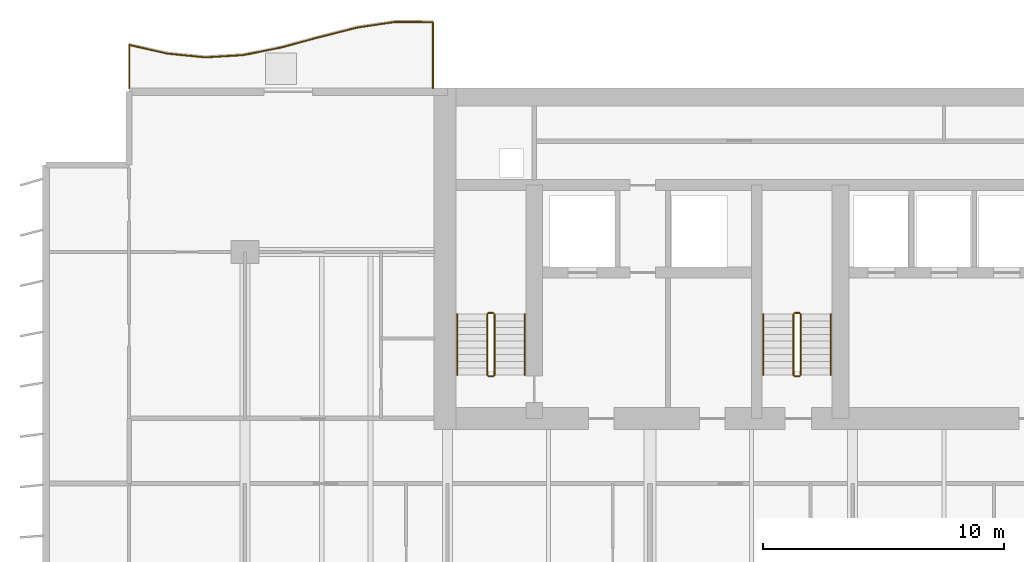
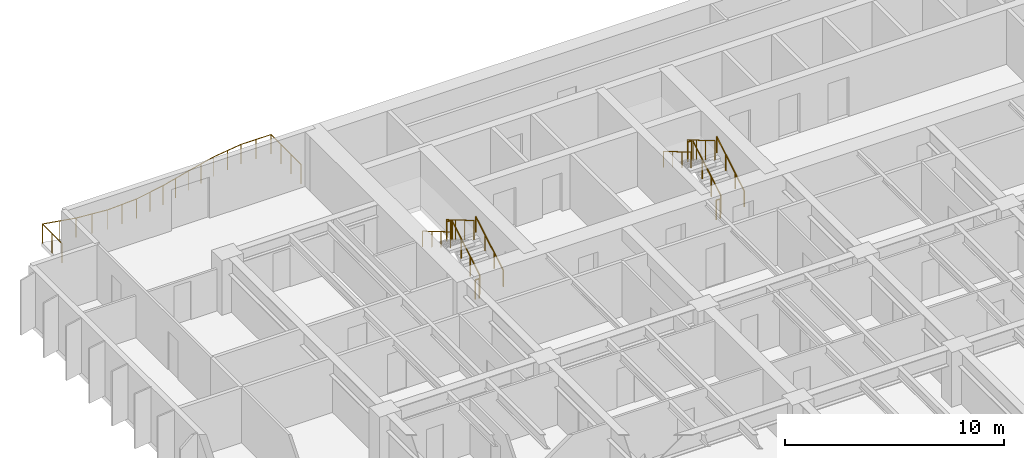
# One storey, part 14 of 16: 13 railings.
"""IFC4 building model written with IfcOpenShell, lengths in metres."""

import ifcopenshell
import ifcopenshell.guid

model = None  # the IFC model being written
_history = None  # IfcOwnerHistory: only IFC2X3 demands one
_inside = {}  # id of a spatial element -> (the spatial element, [elements in it])
_under = {}  # id of a project, library or spatial element -> (it, [spatial elements below it])
_declared = {}  # id of a project -> (the project, [libraries it declares])
_typed = {}  # id of a type object -> (the type object, [elements of that type])
_made_of = {}  # id of a material, layer set ... -> (it, [elements and type objects made of it])


def new_model(schema):
    """Start an empty IFC model of exactly this schema.

    Asked for "IFC4X3", IfcOpenShell would pick the latest addendum, in which some entities
    have other attributes; the version numbers below select the first issue.
    IFC2X3 requires an IfcOwnerHistory on every rooted entity: one is made here for all.
    """
    global model, _history
    if schema == "IFC4X3":
        model = ifcopenshell.file(schema_version=(4, 3, 0, 0))
    else:
        model = ifcopenshell.file(schema=schema)
    _inside.clear()
    _under.clear()
    _declared.clear()
    _typed.clear()
    _made_of.clear()
    _history = None
    if model.schema == "IFC2X3":
        org = make("IfcOrganization", Name="unknown")
        user = make(
            "IfcPersonAndOrganization",
            ThePerson=make("IfcPerson", FamilyName="unknown"),
            TheOrganization=org,
        )
        app = make(
            "IfcApplication",
            ApplicationDeveloper=org,
            Version="unknown",
            ApplicationFullName="unknown",
            ApplicationIdentifier="unknown",
        )
        _history = make(
            "IfcOwnerHistory",
            OwningUser=user,
            OwningApplication=app,
            ChangeAction="ADDED",
            CreationDate=0,
        )
    return model


def make(cls, **values):
    """One entity of the class cls with the attributes given. An attribute that is None is left unset."""
    return model.create_entity(
        cls, **{name: value for name, value in values.items() if value is not None}
    )


def rooted(cls, **values):
    """An entity with a GlobalId (a new one), such as an element, a storey or a relation."""
    return make(cls, GlobalId=ifcopenshell.guid.new(), OwnerHistory=_history, **values)


def si_unit(unit_type, name, prefix=None):
    """IfcSIUnit, for example si_unit("LENGTHUNIT", "METRE", prefix="MILLI")."""
    return make("IfcSIUnit", UnitType=unit_type, Prefix=prefix, Name=name)


def assignment(units):
    """IfcUnitAssignment: the units of a project."""
    return None if units is None else make("IfcUnitAssignment", Units=units)


def point(xyz):
    """IfcCartesianPoint."""
    return None if xyz is None else make("IfcCartesianPoint", Coordinates=xyz)


def direction(xyz):
    """IfcDirection."""
    return None if xyz is None else make("IfcDirection", DirectionRatios=xyz)


def frame(location, z_axis=None, x_axis=None):
    """IfcAxis2Placement3D, a coordinate frame: its origin and axes. An axis left out is left unset."""
    return make(
        "IfcAxis2Placement3D",
        Location=point(location),
        Axis=direction(z_axis),
        RefDirection=direction(x_axis),
    )


def frame_2d(location, x_axis=None):
    """IfcAxis2Placement2D, a coordinate frame in the plane: its origin and x axis."""
    return make(
        "IfcAxis2Placement2D", Location=point(location), RefDirection=direction(x_axis)
    )


def origin():
    """The frame at (0, 0, 0) with its axes left unset."""
    return frame((0.0, 0.0, 0.0))


def origin_2d():
    """The frame at (0, 0) in the plane with its x axis left unset."""
    return frame_2d((0.0, 0.0))


def place(relative_to, where):
    """IfcLocalPlacement: puts the frame where relative to a parent placement (None: the world)."""
    return make(
        "IfcLocalPlacement", PlacementRelTo=relative_to, RelativePlacement=where
    )


def context(
    kind, dimensions, precision=None, world=None, true_north=None, identifier=None
):
    """IfcGeometricRepresentationContext, for example the 3D "Model" context."""
    return make(
        "IfcGeometricRepresentationContext",
        ContextIdentifier=identifier,
        ContextType=kind,
        CoordinateSpaceDimension=dimensions,
        Precision=precision,
        WorldCoordinateSystem=world,
        TrueNorth=true_north,
    )


def subcontext(parent, identifier, kind, view, scale=None):
    """IfcGeometricRepresentationSubContext, for example "Body" below "Model"."""
    return make(
        "IfcGeometricRepresentationSubContext",
        ContextIdentifier=identifier,
        ContextType=kind,
        ParentContext=parent,
        TargetScale=scale,
        TargetView=view,
    )


def project(units=None, contexts=None):
    """IfcProject with its units and contexts."""
    return rooted(
        "IfcProject",
        Name="project",
        RepresentationContexts=contexts,
        UnitsInContext=assignment(units),
    )


def spatial(cls, under=None, at=None, **own):
    """A site, building, storey or space (cls), placed at a placement, below another one or the project."""
    s = rooted(cls, ObjectPlacement=at, **own)
    if under is not None:
        _under.setdefault(under.id(), (under, []))[1].append(s)
    return s


def profile(cls, at=None, kind="AREA", **sizes):
    """A parametric profile (cls). Its sizes go by their IFC names, for example OverallWidth=200.0."""
    return make(cls, ProfileType=kind, Position=at, **sizes)


def circle(**sizes):
    """IfcCircleProfileDef."""
    return profile("IfcCircleProfileDef", **sizes)


def extrude(swept, where, along, depth):
    """IfcExtrudedAreaSolid: the profile swept, set in the frame where, extruded along a direction by depth."""
    return make(
        "IfcExtrudedAreaSolid",
        SweptArea=swept,
        Position=where,
        ExtrudedDirection=direction(along),
        Depth=depth,
    )


def shape(context_of_items, identifier, shape_type, items):
    """IfcShapeRepresentation: the items that make up one representation, for example the "Body"."""
    return make(
        "IfcShapeRepresentation",
        ContextOfItems=context_of_items,
        RepresentationIdentifier=identifier,
        RepresentationType=shape_type,
        Items=items,
    )


def material(Name=None, Category=None):
    """IfcMaterial."""
    return make("IfcMaterial", Name=Name, Category=Category)


def made_of(thing, what):
    """Note that an element or type object is made of a material, layer set ...; save() writes the relation."""
    if what is not None:
        _made_of.setdefault(what.id(), (what, []))[1].append(thing)
    return thing


def type_object(cls, material=None, **own):
    """A type object (cls), such as IfcWallType, which elements share."""
    return made_of(rooted(cls, **own), material)


def element(
    cls,
    number,
    at=None,
    inside=None,
    cuts=None,
    type_object=None,
    material=None,
    context=None,
    identifier="Body",
    shape_type=None,
    held_by="IfcProductDefinitionShape",
    body=None,
    shapes=None,
    **own,
):
    """One element of the class cls, such as IfcWall. Its Tag is "e" and its number.

    at: its placement. inside: the storey or other place that contains it. cuts: it is an
    opening in that element (IfcRelVoidsElement). A single representation is given by context,
    identifier, shape_type and body (its items); several are given by shapes. held_by: the class
    of the entity that holds the representations. save() writes the other relations.
    """
    e = rooted(cls, Tag="e%d" % number, ObjectPlacement=at, **own)
    if body is not None:
        shapes = [shape(context, identifier, shape_type, body)]
    if shapes is not None:
        e.Representation = make(held_by, Representations=shapes)
    if inside is not None:
        _inside.setdefault(inside.id(), (inside, []))[1].append(e)
    if cuts is not None:
        rooted(
            "IfcRelVoidsElement", RelatingBuildingElement=cuts, RelatedOpeningElement=e
        )
    if type_object is not None:
        _typed.setdefault(type_object.id(), (type_object, []))[1].append(e)
    return made_of(e, material)


def aggregate(whole, parts):
    """IfcRelAggregates: a whole, such as a stair, and the parts it consists of."""
    return rooted("IfcRelAggregates", RelatingObject=whole, RelatedObjects=parts)


def save(model, path):
    """Write the relations noted so far, then the file.

    IfcRelAggregates (storeys below a building ...), IfcRelContainedInSpatialStructure (elements
    in a storey), IfcRelDefinesByType, IfcRelAssociatesMaterial and IfcRelDeclares: one each for
    every whole, place, type object, material and project.
    """
    for whole, parts in _under.values():
        aggregate(whole, parts)
    for where, things in _inside.values():
        rooted(
            "IfcRelContainedInSpatialStructure",
            RelatedElements=things,
            RelatingStructure=where,
        )
    for kind, things in _typed.values():
        rooted("IfcRelDefinesByType", RelatedObjects=things, RelatingType=kind)
    for what, things in _made_of.values():
        rooted("IfcRelAssociatesMaterial", RelatedObjects=things, RelatingMaterial=what)
    for by, libraries in _declared.values():
        rooted("IfcRelDeclares", RelatingContext=by, RelatedDefinitions=libraries)
    model.write(path)


model = new_model("IFC4")

# Units and contexts
model_context = context("Model", 3, precision=1e-05, world=origin(), true_north=direction((0.0, 1.0)))
body_context = subcontext(model_context, "Body", "Model", "MODEL_VIEW")
ifc_project = project(units=[si_unit("LENGTHUNIT", "METRE"), si_unit("AREAUNIT", "SQUARE_METRE"), si_unit("VOLUMEUNIT", "CUBIC_METRE"), si_unit("PLANEANGLEUNIT", "RADIAN"), si_unit("MASSUNIT", "GRAM", prefix="KILO")], contexts=[model_context])

# Site, building, storey
site_placement = place(None, origin())
site = spatial("IfcSite", under=ifc_project, at=site_placement, CompositionType="ELEMENT")
building_placement = place(site_placement, origin())
building = spatial("IfcBuilding", under=site, at=building_placement, Name="Caelmar Bay Residences", CompositionType="ELEMENT")
storey_placement = place(building_placement, frame((0.0, 0.0, 72.89990234375)))
storey = spatial("IfcBuildingStorey", under=building, at=storey_placement, Name="L19", CompositionType="ELEMENT", Elevation=72.89990234375)

# Railings
ifc_material_1 = material(Name="Anodised bronze handrail with laminated hurricane glass infill", Category="glass")
railing_type_1 = type_object("IfcRailingType", Name="RL-BAL-1100", PredefinedType="BALUSTRADE", material=ifc_material_1)
railing_1_placement = place(storey_placement, frame((17.699951171875, 50.60009765625, 0.0)))
element("IfcRailing", 1, at=railing_1_placement, inside=storey, type_object=railing_type_1, Name="L19 north_west Balcony Balustrade", PredefinedType="BALUSTRADE", context=body_context, shape_type="SweptSolid", body=[
    extrude(circle(Radius=0.02392578125, at=origin_2d()), frame((0.0, 0.0, 1.076171875), z_axis=(0.0, 1.0, 0.0), x_axis=(-1.0, 0.0, 0.0)), (0.0, 0.0, 1.0), 2.733154296875),
    extrude(circle(Radius=0.02392578125, at=origin_2d()), frame((0.0, 2.733154296875, 1.076171875), z_axis=(-0.999985282216, 0.005425435572, 0.0), x_axis=(-0.005425435572, -0.999985282216, 0.0)), (0.0, 0.0, 1.0), 1.574951171875),
    extrude(circle(Radius=0.02392578125, at=origin_2d()), frame((-1.574951171875, 2.74169921875, 1.076171875), z_axis=(-0.989085424224, -0.147343216971, 0.0), x_axis=(0.147343216971, -0.989085424224, 0.0)), (0.0, 0.0, 1.0), 1.59228515625),
    extrude(circle(Radius=0.02392578125, at=origin_2d()), frame((-3.14990234375, 2.507080078125, 1.076171875), z_axis=(-0.969386499063, -0.245539844903, 0.0), x_axis=(0.245539844903, -0.969386499063, 0.0)), (0.0, 0.0, 1.0), 1.624755859375),
    extrude(circle(Radius=0.02392578125, at=origin_2d()), frame((-4.724853515625, 2.108154296875, 1.076171875), z_axis=(-0.964901735342, -0.262611197654, 0.0), x_axis=(0.262611197654, -0.964901735342, 0.0)), (0.0, 0.0, 1.0), 1.632568359375),
    extrude(circle(Radius=0.02392578125, at=origin_2d()), frame((-6.300048828125, 1.679443359375, 1.076171875), z_axis=(-0.980703271668, -0.195502155846, 0.0), x_axis=(0.195502155846, -0.980703271668, 0.0)), (0.0, 0.0, 1.0), 1.60595703125),
    extrude(circle(Radius=0.02392578125, at=origin_2d()), frame((-7.875, 1.365478515625, 1.076171875), z_axis=(-0.99825135222, -0.059112078212, 0.0), x_axis=(0.059112078212, -0.99825135222, 0.0)), (0.0, 0.0, 1.0), 1.57763671875),
    extrude(circle(Radius=0.02392578125, at=origin_2d()), frame((-9.449951171875, 1.272216796875, 1.076171875), z_axis=(-0.994962082578, 0.100251953755, 0.0), x_axis=(-0.100251953755, -0.994962082578, 0.0)), (0.0, 0.0, 1.0), 1.5830078125),
    extrude(circle(Radius=0.02392578125, at=origin_2d()), frame((-11.02490234375, 1.430908203125, 1.076171875), z_axis=(-0.975235218477, 0.221170225489, 0.0), x_axis=(-0.221170225489, -0.975235218477, 0.0)), (0.0, 0.0, 1.0), 1.614990234375),
    extrude(circle(Radius=0.02392578125, at=origin_2d()), frame((-12.599853515625, 1.7880859375, 1.076171875), z_axis=(0.0, -1.0, 0.0), x_axis=(1.0, 0.0, 0.0)), (0.0, 0.0, 1.0), 1.7880859375),
    extrude(circle(Radius=0.02099609375, at=origin_2d()), origin(), (0.0, 0.0, 1.0), 1.052001953125),
    extrude(circle(Radius=0.02099609375, at=origin_2d()), frame((0.0, 0.9111328125, 0.0)), (0.0, 0.0, 1.0), 1.052001953125),
    extrude(circle(Radius=0.02099609375, at=origin_2d()), frame((0.0, 1.822021484375, 0.0)), (0.0, 0.0, 1.0), 1.052001953125),
    extrude(circle(Radius=0.02099609375, at=origin_2d()), frame((0.0, 2.733154296875, 0.0)), (0.0, 0.0, 1.0), 1.052001953125),
    extrude(circle(Radius=0.02099609375, at=origin_2d()), frame((-0.78759765625, 2.7373046875, 0.0)), (0.0, 0.0, 1.0), 1.052001953125),
    extrude(circle(Radius=0.02099609375, at=origin_2d()), frame((-1.574951171875, 2.74169921875, 0.0)), (0.0, 0.0, 1.0), 1.052001953125),
    extrude(circle(Radius=0.02099609375, at=origin_2d()), frame((-2.3623046875, 2.62451171875, 0.0)), (0.0, 0.0, 1.0), 1.052001953125),
    extrude(circle(Radius=0.02099609375, at=origin_2d()), frame((-3.14990234375, 2.507080078125, 0.0)), (0.0, 0.0, 1.0), 1.052001953125),
    extrude(circle(Radius=0.02099609375, at=origin_2d()), frame((-3.9375, 2.3076171875, 0.0)), (0.0, 0.0, 1.0), 1.052001953125),
    extrude(circle(Radius=0.02099609375, at=origin_2d()), frame((-4.724853515625, 2.108154296875, 0.0)), (0.0, 0.0, 1.0), 1.052001953125),
    extrude(circle(Radius=0.02099609375, at=origin_2d()), frame((-5.512451171875, 1.893798828125, 0.0)), (0.0, 0.0, 1.0), 1.052001953125),
    extrude(circle(Radius=0.02099609375, at=origin_2d()), frame((-6.300048828125, 1.679443359375, 0.0)), (0.0, 0.0, 1.0), 1.052001953125),
    extrude(circle(Radius=0.02099609375, at=origin_2d()), frame((-7.08740234375, 1.5224609375, 0.0)), (0.0, 0.0, 1.0), 1.052001953125),
    extrude(circle(Radius=0.02099609375, at=origin_2d()), frame((-7.875, 1.365478515625, 0.0)), (0.0, 0.0, 1.0), 1.052001953125),
    extrude(circle(Radius=0.02099609375, at=origin_2d()), frame((-8.66259765625, 1.31884765625, 0.0)), (0.0, 0.0, 1.0), 1.052001953125),
    extrude(circle(Radius=0.02099609375, at=origin_2d()), frame((-9.449951171875, 1.272216796875, 0.0)), (0.0, 0.0, 1.0), 1.052001953125),
    extrude(circle(Radius=0.02099609375, at=origin_2d()), frame((-10.2373046875, 1.3515625, 0.0)), (0.0, 0.0, 1.0), 1.052001953125),
    extrude(circle(Radius=0.02099609375, at=origin_2d()), frame((-11.02490234375, 1.430908203125, 0.0)), (0.0, 0.0, 1.0), 1.052001953125),
    extrude(circle(Radius=0.02099609375, at=origin_2d()), frame((-11.8125, 1.609375, 0.0)), (0.0, 0.0, 1.0), 1.052001953125),
    extrude(circle(Radius=0.02099609375, at=origin_2d()), frame((-12.599853515625, 1.7880859375, 0.0)), (0.0, 0.0, 1.0), 1.052001953125),
    extrude(circle(Radius=0.02099609375, at=origin_2d()), frame((-12.599853515625, 0.89404296875, 0.0)), (0.0, 0.0, 1.0), 1.052001953125),
    extrude(circle(Radius=0.02099609375, at=origin_2d()), frame((-12.599853515625, 0.0, 0.0)), (0.0, 0.0, 1.0), 1.052001953125),
])
ifc_material_2 = material(Name="Painted galvanized steel stair guard 1100 mm", Category="steel")
railing_type_2 = type_object("IfcRailingType", Name="RL-GRD-1100", PredefinedType="GUARDRAIL", material=ifc_material_2)
railing_2_placement = place(storey_placement, frame((20.25, 38.699951171875, 0.1650390625)))
element("IfcRailing", 2, at=railing_2_placement, inside=storey, type_object=railing_type_2, Name="L19 ST1 stair guard 1", PredefinedType="GUARDRAIL", context=body_context, shape_type="SweptSolid", body=[
    extrude(circle(Radius=0.02392578125, at=origin_2d()), frame((0.0, 0.0, 1.076171875), z_axis=(0.0, 0.86152411907, 0.507716645641), x_axis=(-1.0, 0.0, 0.0)), (0.0, 0.0, 1.0), 2.925048828125),
    extrude(circle(Radius=0.02099609375, at=origin_2d()), origin(), (0.0, 0.0, 1.0), 1.052001953125),
    extrude(circle(Radius=0.02099609375, at=origin_2d()), frame((0.0, 0.840087890625, 0.4951171875)), (0.0, 0.0, 1.0), 1.052001953125),
    extrude(circle(Radius=0.02099609375, at=origin_2d()), frame((0.0, 1.679931640625, 0.989990234375)), (0.0, 0.0, 1.0), 1.052001953125),
    extrude(circle(Radius=0.02099609375, at=origin_2d()), frame((0.0, 2.52001953125, 1.485107421875)), (0.0, 0.0, 1.0), 1.052001953125),
])
railing_3_placement = place(storey_placement, frame((20.199951171875, 41.27001953125, 1.650146484375)))
element("IfcRailing", 3, at=railing_3_placement, inside=storey, type_object=railing_type_2, Name="L19 ST1 stair guard 2", PredefinedType="GUARDRAIL", context=body_context, shape_type="SweptSolid", body=[
    extrude(circle(Radius=0.02392578125, at=origin_2d()), frame((0.0, 0.0, 1.076171875), z_axis=(-1.0, 0.0, 0.0), x_axis=(0.0, -1.0, 0.0)), (0.0, 0.0, 1.0), 0.199951171875),
    extrude(circle(Radius=0.02099609375, at=origin_2d()), origin(), (0.0, 0.0, 1.0), 1.052001953125),
    extrude(circle(Radius=0.02099609375, at=origin_2d()), frame((-0.199951171875, 0.0, 0.0)), (0.0, 0.0, 1.0), 1.052001953125),
])
railing_4_placement = place(storey_placement, frame((19.949951171875, 41.219970703125, 1.815185546875)))
element("IfcRailing", 4, at=railing_4_placement, inside=storey, type_object=railing_type_2, Name="L19 ST1 stair guard 3", PredefinedType="GUARDRAIL", context=body_context, shape_type="SweptSolid", body=[
    extrude(circle(Radius=0.02392578125, at=origin_2d()), frame((0.0, 0.0, 1.076171875), z_axis=(0.0, -0.861560626758, 0.507654692109), x_axis=(1.0, 0.0, 0.0)), (0.0, 0.0, 1.0), 2.925048828125),
    extrude(circle(Radius=0.02099609375, at=origin_2d()), origin(), (0.0, 0.0, 1.0), 1.052001953125),
    extrude(circle(Radius=0.02099609375, at=origin_2d()), frame((0.0, -0.840087890625, 0.494873046875)), (0.0, 0.0, 1.0), 1.052001953125),
    extrude(circle(Radius=0.02099609375, at=origin_2d()), frame((0.0, -1.679931640625, 0.989990234375)), (0.0, 0.0, 1.0), 1.052001953125),
    extrude(circle(Radius=0.02099609375, at=origin_2d()), frame((0.0, -2.52001953125, 1.48486328125)), (0.0, 0.0, 1.0), 1.052001953125),
])
railing_5_placement = place(storey_placement, frame((20.199951171875, 38.64990234375, 0.0)))
element("IfcRailing", 5, at=railing_5_placement, inside=storey, type_object=railing_type_2, Name="L19 ST1 stair guard 4", PredefinedType="GUARDRAIL", context=body_context, shape_type="SweptSolid", body=[
    extrude(circle(Radius=0.02392578125, at=origin_2d()), frame((0.0, 0.0, 1.076171875), z_axis=(-1.0, 0.0, 0.0), x_axis=(0.0, -1.0, 0.0)), (0.0, 0.0, 1.0), 0.199951171875),
    extrude(circle(Radius=0.02099609375, at=origin_2d()), origin(), (0.0, 0.0, 1.0), 1.052001953125),
    extrude(circle(Radius=0.02099609375, at=origin_2d()), frame((-0.199951171875, 0.0, 0.0)), (0.0, 0.0, 1.0), 1.052001953125),
])
railing_6_placement = place(storey_placement, frame((32.949951171875, 38.699951171875, 0.1650390625)))
element("IfcRailing", 6, at=railing_6_placement, inside=storey, type_object=railing_type_2, Name="L19 ST3 stair guard 1", PredefinedType="GUARDRAIL", context=body_context, shape_type="SweptSolid", body=[
    extrude(circle(Radius=0.02392578125, at=origin_2d()), frame((0.0, 0.0, 1.076171875), z_axis=(0.0, 0.86152411907, 0.507716645641), x_axis=(-1.0, 0.0, 0.0)), (0.0, 0.0, 1.0), 2.925048828125),
    extrude(circle(Radius=0.02099609375, at=origin_2d()), origin(), (0.0, 0.0, 1.0), 1.052001953125),
    extrude(circle(Radius=0.02099609375, at=origin_2d()), frame((0.0, 0.840087890625, 0.4951171875)), (0.0, 0.0, 1.0), 1.052001953125),
    extrude(circle(Radius=0.02099609375, at=origin_2d()), frame((0.0, 1.679931640625, 0.989990234375)), (0.0, 0.0, 1.0), 1.052001953125),
    extrude(circle(Radius=0.02099609375, at=origin_2d()), frame((0.0, 2.52001953125, 1.485107421875)), (0.0, 0.0, 1.0), 1.052001953125),
])
railing_7_placement = place(storey_placement, frame((32.89990234375, 41.27001953125, 1.650146484375)))
element("IfcRailing", 7, at=railing_7_placement, inside=storey, type_object=railing_type_2, Name="L19 ST3 stair guard 2", PredefinedType="GUARDRAIL", context=body_context, shape_type="SweptSolid", body=[
    extrude(circle(Radius=0.02392578125, at=origin_2d()), frame((0.0, 0.0, 1.076171875), z_axis=(-1.0, 0.0, 0.0), x_axis=(0.0, -1.0, 0.0)), (0.0, 0.0, 1.0), 0.199951171875),
    extrude(circle(Radius=0.02099609375, at=origin_2d()), origin(), (0.0, 0.0, 1.0), 1.052001953125),
    extrude(circle(Radius=0.02099609375, at=origin_2d()), frame((-0.199951171875, 0.0, 0.0)), (0.0, 0.0, 1.0), 1.052001953125),
])
railing_8_placement = place(storey_placement, frame((32.64990234375, 41.219970703125, 1.815185546875)))
element("IfcRailing", 8, at=railing_8_placement, inside=storey, type_object=railing_type_2, Name="L19 ST3 stair guard 3", PredefinedType="GUARDRAIL", context=body_context, shape_type="SweptSolid", body=[
    extrude(circle(Radius=0.02392578125, at=origin_2d()), frame((0.0, 0.0, 1.076171875), z_axis=(0.0, -0.861560626758, 0.507654692109), x_axis=(1.0, 0.0, 0.0)), (0.0, 0.0, 1.0), 2.925048828125),
    extrude(circle(Radius=0.02099609375, at=origin_2d()), origin(), (0.0, 0.0, 1.0), 1.052001953125),
    extrude(circle(Radius=0.02099609375, at=origin_2d()), frame((0.0, -0.840087890625, 0.494873046875)), (0.0, 0.0, 1.0), 1.052001953125),
    extrude(circle(Radius=0.02099609375, at=origin_2d()), frame((0.0, -1.679931640625, 0.989990234375)), (0.0, 0.0, 1.0), 1.052001953125),
    extrude(circle(Radius=0.02099609375, at=origin_2d()), frame((0.0, -2.52001953125, 1.48486328125)), (0.0, 0.0, 1.0), 1.052001953125),
])
railing_9_placement = place(storey_placement, frame((32.89990234375, 38.64990234375, 0.0)))
element("IfcRailing", 9, at=railing_9_placement, inside=storey, type_object=railing_type_2, Name="L19 ST3 stair guard 4", PredefinedType="GUARDRAIL", context=body_context, shape_type="SweptSolid", body=[
    extrude(circle(Radius=0.02392578125, at=origin_2d()), frame((0.0, 0.0, 1.076171875), z_axis=(-1.0, 0.0, 0.0), x_axis=(0.0, -1.0, 0.0)), (0.0, 0.0, 1.0), 0.199951171875),
    extrude(circle(Radius=0.02099609375, at=origin_2d()), origin(), (0.0, 0.0, 1.0), 1.052001953125),
    extrude(circle(Radius=0.02099609375, at=origin_2d()), frame((-0.199951171875, 0.0, 0.0)), (0.0, 0.0, 1.0), 1.052001953125),
])
ifc_material_3 = material(Name="Brushed bronze stainless-steel tubular handrail 900 mm", Category="steel")
railing_type_3 = type_object("IfcRailingType", Name="RL-HND-900", PredefinedType="HANDRAIL", material=ifc_material_3)
railing_10_placement = place(storey_placement, frame((21.5, 38.699951171875, 0.1650390625)))
element("IfcRailing", 10, at=railing_10_placement, inside=storey, type_object=railing_type_3, Name="L19 ST1 stair handrail 1", PredefinedType="HANDRAIL", context=body_context, shape_type="SweptSolid", body=[
    extrude(circle(Radius=0.02392578125, at=origin_2d()), frame((0.0, 0.0, 0.8759765625), z_axis=(0.0, 0.86152411907, 0.507716645641), x_axis=(-1.0, 0.0, 0.0)), (0.0, 0.0, 1.0), 2.925048828125),
    extrude(circle(Radius=0.02099609375, at=origin_2d()), origin(), (0.0, 0.0, 1.0), 0.851806640625),
    extrude(circle(Radius=0.02099609375, at=origin_2d()), frame((0.0, 0.840087890625, 0.4951171875)), (0.0, 0.0, 1.0), 0.851806640625),
    extrude(circle(Radius=0.02099609375, at=origin_2d()), frame((0.0, 1.679931640625, 0.989990234375)), (0.0, 0.0, 1.0), 0.851806640625),
    extrude(circle(Radius=0.02099609375, at=origin_2d()), frame((0.0, 2.52001953125, 1.485107421875)), (0.0, 0.0, 1.0), 0.851806640625),
])
railing_11_placement = place(storey_placement, frame((18.699951171875, 41.219970703125, 1.815185546875)))
element("IfcRailing", 11, at=railing_11_placement, inside=storey, type_object=railing_type_3, Name="L19 ST1 stair handrail 2", PredefinedType="HANDRAIL", context=body_context, shape_type="SweptSolid", body=[
    extrude(circle(Radius=0.02392578125, at=origin_2d()), frame((0.0, 0.0, 0.8759765625), z_axis=(0.0, -0.861560626758, 0.507654692109), x_axis=(1.0, 0.0, 0.0)), (0.0, 0.0, 1.0), 2.925048828125),
    extrude(circle(Radius=0.02099609375, at=origin_2d()), origin(), (0.0, 0.0, 1.0), 0.851806640625),
    extrude(circle(Radius=0.02099609375, at=origin_2d()), frame((0.0, -0.840087890625, 0.494873046875)), (0.0, 0.0, 1.0), 0.851806640625),
    extrude(circle(Radius=0.02099609375, at=origin_2d()), frame((0.0, -1.679931640625, 0.989990234375)), (0.0, 0.0, 1.0), 0.851806640625),
    extrude(circle(Radius=0.02099609375, at=origin_2d()), frame((0.0, -2.52001953125, 1.48486328125)), (0.0, 0.0, 1.0), 0.851806640625),
])
railing_12_placement = place(storey_placement, frame((34.199951171875, 38.699951171875, 0.1650390625)))
element("IfcRailing", 12, at=railing_12_placement, inside=storey, type_object=railing_type_3, Name="L19 ST3 stair handrail 1", PredefinedType="HANDRAIL", context=body_context, shape_type="SweptSolid", body=[
    extrude(circle(Radius=0.02392578125, at=origin_2d()), frame((0.0, 0.0, 0.8759765625), z_axis=(0.0, 0.86152411907, 0.507716645641), x_axis=(-1.0, 0.0, 0.0)), (0.0, 0.0, 1.0), 2.925048828125),
    extrude(circle(Radius=0.02099609375, at=origin_2d()), origin(), (0.0, 0.0, 1.0), 0.851806640625),
    extrude(circle(Radius=0.02099609375, at=origin_2d()), frame((0.0, 0.840087890625, 0.4951171875)), (0.0, 0.0, 1.0), 0.851806640625),
    extrude(circle(Radius=0.02099609375, at=origin_2d()), frame((0.0, 1.679931640625, 0.989990234375)), (0.0, 0.0, 1.0), 0.851806640625),
    extrude(circle(Radius=0.02099609375, at=origin_2d()), frame((0.0, 2.52001953125, 1.485107421875)), (0.0, 0.0, 1.0), 0.851806640625),
])
railing_13_placement = place(storey_placement, frame((31.39990234375, 41.219970703125, 1.815185546875)))
element("IfcRailing", 13, at=railing_13_placement, inside=storey, type_object=railing_type_3, Name="L19 ST3 stair handrail 2", PredefinedType="HANDRAIL", context=body_context, shape_type="SweptSolid", body=[
    extrude(circle(Radius=0.02392578125, at=origin_2d()), frame((0.0, 0.0, 0.8759765625), z_axis=(0.0, -0.861560626758, 0.507654692109), x_axis=(1.0, 0.0, 0.0)), (0.0, 0.0, 1.0), 2.925048828125),
    extrude(circle(Radius=0.02099609375, at=origin_2d()), origin(), (0.0, 0.0, 1.0), 0.851806640625),
    extrude(circle(Radius=0.02099609375, at=origin_2d()), frame((0.0, -0.840087890625, 0.494873046875)), (0.0, 0.0, 1.0), 0.851806640625),
    extrude(circle(Radius=0.02099609375, at=origin_2d()), frame((0.0, -1.679931640625, 0.989990234375)), (0.0, 0.0, 1.0), 0.851806640625),
    extrude(circle(Radius=0.02099609375, at=origin_2d()), frame((0.0, -2.52001953125, 1.48486328125)), (0.0, 0.0, 1.0), 0.851806640625),
])

save(model, "model.ifc")
